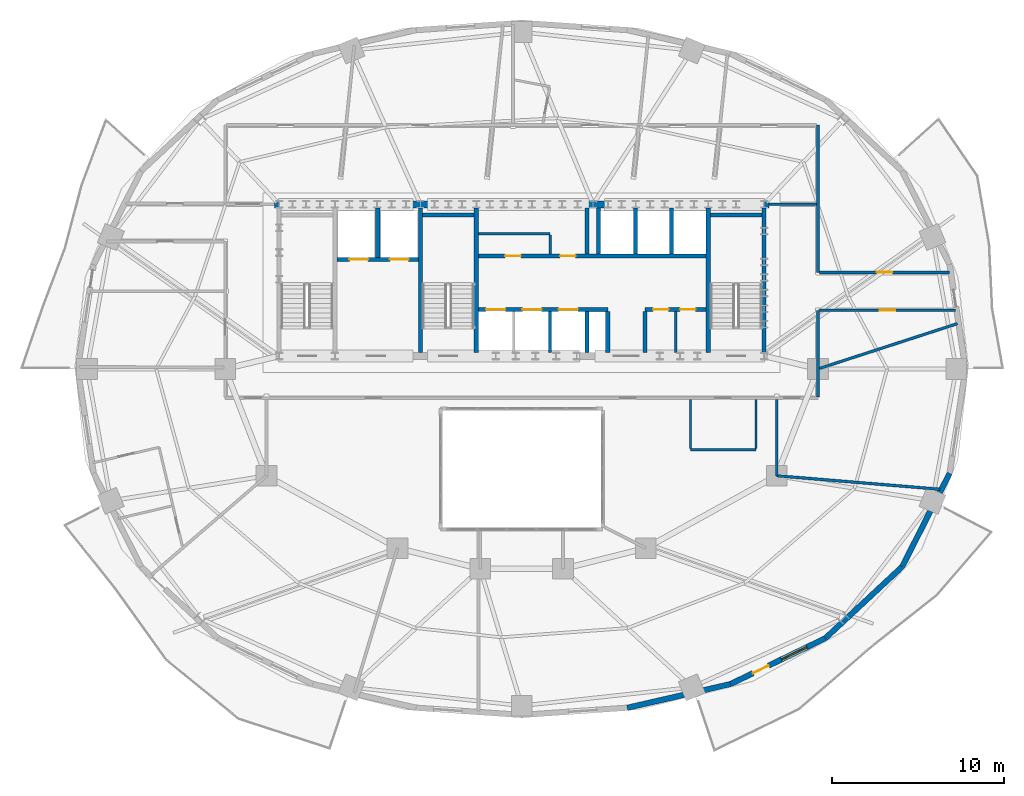
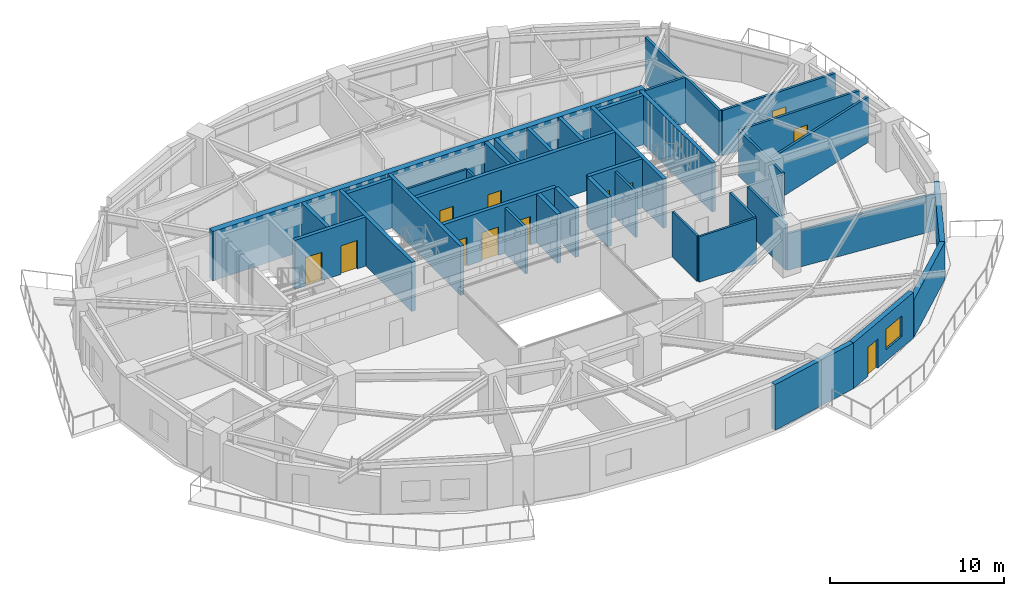
# One storey, part 7 of 13: 38 walls, 12 doors, 1 window, 13 openings.
"""IFC4 building model written with IfcOpenShell, lengths in metres."""

from ifc_helpers import new_model, si_unit, direction, frame, frame_2d, origin, place, context, subcontext, project, spatial, rectangle, extrude, material, layer, layer_set, type_object, element, fill, save


model = new_model("IFC4")

# Units and contexts
model_context = context("Model", 3, precision=1e-05, world=origin(), true_north=direction((0.0, 1.0)))
body_context = subcontext(model_context, "Body", "Model", "MODEL_VIEW")
ifc_project = project(units=[si_unit("LENGTHUNIT", "METRE"), si_unit("AREAUNIT", "SQUARE_METRE"), si_unit("VOLUMEUNIT", "CUBIC_METRE"), si_unit("PLANEANGLEUNIT", "RADIAN"), si_unit("MASSUNIT", "GRAM", prefix="KILO")], contexts=[model_context])

# Site, building, storey
site_placement = place(None, origin())
site = spatial("IfcSite", under=ifc_project, at=site_placement, CompositionType="ELEMENT")
building_placement = place(site_placement, origin())
building = spatial("IfcBuilding", under=site, at=building_placement, Name="Haldorwick Loom Tower", CompositionType="ELEMENT")
storey_placement = place(building_placement, frame((0.0, 0.0, 178.60009765625)))
storey = spatial("IfcBuildingStorey", under=building, at=storey_placement, Name="L48", CompositionType="ELEMENT", Elevation=178.60009765625)

# Wall
ifc_material_1 = material(Name="Pressed Clay Face Brick and Insulated Masonry Backup Assembly", Category="masonry")
ifc_layer_1 = layer(ifc_material_1, 0.320068359375, Name="Pressed Clay Face Brick and Insulated Masonry Backup Assembly", Category="masonry")
ifc_layer_set_1 = layer_set([ifc_layer_1], Name="Pressed Clay Face Brick and Insulated Masonry Backup Assembly")
wall_type_1 = type_object("IfcWallType", Name="ARC-WL-EXT320", PredefinedType="STANDARD", material=ifc_layer_set_1)
wall_1_placement = place(storey_placement, frame((42.12890625, 6.3359375, 0.0), z_axis=(0.0, 0.0, 1.0), x_axis=(0.974593223547, 0.223982250674, 0.0)))
element("IfcWall", 1, at=wall_1_placement, inside=storey, type_object=wall_type_1, Name="L48 Brick Pier and Spandrel Wall 20", PredefinedType="STANDARD", context=body_context, shape_type="SweptSolid", body=[
    extrude(rectangle(XDim=6.138916015625, YDim=0.320068359375, at=frame_2d((3.0693359375, 0.0))), origin(), (0.0, 0.0, 1.0), 3.2099609375),
])

# Wall, openings, door, window
wall_2_placement = place(storey_placement, frame((48.11181640625, 7.7109375, 0.0), z_axis=(0.0, 0.0, 1.0), x_axis=(0.900479976617, 0.434897472644, 0.0)))
wall_2 = element("IfcWall", 2, at=wall_2_placement, inside=storey, type_object=wall_type_1, Name="L48 Brick Pier and Spandrel Wall 21", PredefinedType="STANDARD", context=body_context, shape_type="SweptSolid", body=[
    extrude(rectangle(XDim=6.118408203125, YDim=0.320068359375, at=frame_2d((3.05908203125, 0.0))), origin(), (0.0, 0.0, 1.0), 3.2099609375),
])
opening_1_placement = place(wall_2_placement, frame((1.460693359375, 0.0, 0.0)))
opening_1 = element("IfcOpeningElement", 3, at=opening_1_placement, cuts=wall_2, Name="Opening D-BL10", PredefinedType="OPENING", context=body_context, shape_type="SweptSolid", body=[
    extrude(rectangle(XDim=1.0, YDim=2.0400390625, at=frame_2d((0.5, 1.02001953125))), frame((0.0, 0.169921875, 0.0), z_axis=(0.0, -1.0, 0.0), x_axis=(1.0, 0.0, 0.0)), (0.0, 0.0, 1.0), 0.340087890625),
])
opening_2_placement = place(wall_2_placement, frame((3.28662109375, 0.0, 0.800048828125)))
opening_2 = element("IfcOpeningElement", 4, at=opening_2_placement, cuts=wall_2, Name="Opening W-01B", PredefinedType="OPENING", context=body_context, shape_type="SweptSolid", body=[
    extrude(rectangle(XDim=1.64990234375, YDim=1.449951171875, at=frame_2d((0.824951171875, 0.72509765625))), frame((0.0, 0.169921875, 0.0), z_axis=(0.0, -1.0, 0.0), x_axis=(1.0, 0.0, 0.0)), (0.0, 0.0, 1.0), 0.340087890625),
])
ifc_material_2 = material(Name="Thermally Broken Anodized Aluminium Curtain Wall Framing", Category="aluminium")
door_type_1 = type_object("IfcDoorType", Name="ARC-DR-BAL100", OperationType="NOTDEFINED", PredefinedType="DOOR", material=ifc_material_2)
door_1_placement = place(opening_1_placement, origin())
door_1 = element("IfcDoor", 5, at=door_1_placement, inside=storey, type_object=door_type_1, Name="L48 Outdoor Terrace Door SLB-L48-BAL_SE", OperationType="SINGLE_SWING_RIGHT", OverallHeight=2.0400390625, OverallWidth=1.0, PredefinedType="DOOR", context=body_context, shape_type="SweptSolid", body=[
    extrude(rectangle(XDim=1.0, YDim=2.0400390625, at=frame_2d((0.5, 1.02001953125))), frame((0.0, 0.02490234375, 0.0), z_axis=(0.0, -1.0, 0.0), x_axis=(1.0, 0.0, 0.0)), (0.0, 0.0, 1.0), 0.050048828125),
])
fill(opening_1, door_1)
ifc_material_3 = material(Name="Triple-Glazed Low-E Argon Insulated Glazing Unit", Category="glass")
window_type = type_object("IfcWindowType", Name="ARC-WIN-W165", PartitioningType="SINGLE_PANEL", PredefinedType="WINDOW", material=ifc_material_3)
window_placement = place(opening_2_placement, origin())
window = element("IfcWindow", 6, at=window_placement, inside=storey, type_object=window_type, Name="L48 Deep-Set Zone 7A Window 21", OverallHeight=1.449951171875, OverallWidth=1.64990234375, PartitioningType="SINGLE_PANEL", PredefinedType="WINDOW", context=body_context, shape_type="SweptSolid", body=[
    extrude(rectangle(XDim=1.64990234375, YDim=1.449951171875, at=frame_2d((0.824951171875, 0.72509765625))), frame((0.0, 0.030029296875, 0.0), z_axis=(0.0, -1.0, 0.0), x_axis=(1.0, 0.0, 0.0)), (0.0, 0.0, 1.0), 0.06005859375),
])
fill(opening_2, window)

# Walls
for number, where, z_axis, x_axis, name in (
    (7, (53.621337890625, 10.371826171875, 0.0), (0.0, 0.0, 1.0), (0.731982952968, 0.681322945866, 0.0), "L48 Brick Pier and Spandrel Wall 22"),
    (8, (58.07666015625, 14.518798828125, 0.0), (0.0, 0.0, 1.0), (0.453172129629, 0.89142303141, 0.0), "L48 Brick Pier and Spandrel Wall 23"),
):
    element("IfcWall", number, at=place(storey_placement, frame(where, z_axis=z_axis, x_axis=x_axis)), inside=storey, type_object=wall_type_1, Name=name, PredefinedType="STANDARD", context=body_context, shape_type="SweptSolid", body=[
        extrude(rectangle(XDim=6.086669921875, YDim=0.320068359375, at=frame_2d((3.04345703125, 0.0))), origin(), (0.0, 0.0, 1.0), 2.640869140625),
    ])
ifc_material_4 = material(Name="Fire-Rated Type X Gypsum Stud Assembly EI 60")
ifc_layer_2 = layer(ifc_material_4, 0.159912109375, Name="Fire-Rated Type X Gypsum Stud Assembly EI 60")
ifc_layer_set_2 = layer_set([ifc_layer_2], Name="Fire-Rated Type X Gypsum Stud Assembly EI 60")
wall_type_2 = type_object("IfcWallType", Name="ARC-WL-FIRE160", PredefinedType="PARTITIONING", material=ifc_layer_set_2)
wall_3_placement = place(storey_placement, frame((53.199951171875, 24.383056640625, 0.0), z_axis=(0.0, 0.0, 1.0), x_axis=(0.0, 1.0, 0.0)))
element("IfcWall", 9, at=wall_3_placement, inside=storey, type_object=wall_type_2, Name="L48 Residential Fire Partition L48-CR-E0A", PredefinedType="PARTITIONING", context=body_context, shape_type="SweptSolid", body=[
    extrude(rectangle(XDim=5.016845703125, YDim=0.159912109375, at=frame_2d((2.50830078125, 0.0))), origin(), (0.0, 0.0, 1.0), 3.19482421875),
])
wall_4_placement = place(storey_placement, frame((53.199951171875, 31.60009765625, 0.0), z_axis=(0.0, 0.0, 1.0), x_axis=(0.0, 1.0, 0.0)))
element("IfcWall", 10, at=wall_4_placement, inside=storey, type_object=wall_type_2, Name="L48 Residential Fire Partition L48-CR-E0B", PredefinedType="PARTITIONING", context=body_context, shape_type="SweptSolid", body=[
    extrude(rectangle(XDim=8.5498046875, YDim=0.159912109375, at=frame_2d((4.27490234375, 0.0))), origin(), (0.0, 0.0, 1.0), 3.19482421875),
])

# Wall, opening, door
wall_5_placement = place(storey_placement, frame((53.282958984375, 29.39990234375, 0.0), z_axis=(0.0, 0.0, 1.0), x_axis=(1.0, 0.0, 0.0)))
wall_5 = element("IfcWall", 11, at=wall_5_placement, inside=storey, type_object=wall_type_2, Name="L48 Residential Fire Partition L48-CR-GE0", PredefinedType="PARTITIONING", context=body_context, shape_type="SweptSolid", body=[
    extrude(rectangle(XDim=7.890625, YDim=0.159912109375, at=frame_2d((3.9453125, 0.0))), origin(), (0.0, 0.0, 1.0), 3.19482421875),
])
opening_3_placement = place(wall_5_placement, frame((3.4951171875, 0.0, 0.0)))
opening_3 = element("IfcOpeningElement", 12, at=opening_3_placement, cuts=wall_5, Name="Opening D-FD60A", PredefinedType="OPENING", context=body_context, shape_type="SweptSolid", body=[
    extrude(rectangle(XDim=0.89990234375, YDim=2.0, at=frame_2d((0.449951171875, 1.0))), frame((0.0, 0.08984375, 0.0), z_axis=(0.0, -1.0, 0.0), x_axis=(1.0, 0.0, 0.0)), (0.0, 0.0, 1.0), 0.179931640625),
])
ifc_material_5 = material(Name="Hollow Steel Fire Door Assembly", Category="steel")
door_type_2 = type_object("IfcDoorType", Name="ARC-DR-FD60-90", OperationType="NOTDEFINED", PredefinedType="DOOR", material=ifc_material_5)
door_2_placement = place(opening_3_placement, origin())
door_2 = element("IfcDoor", 13, at=door_2_placement, inside=storey, type_object=door_type_2, Name="L48 L48 Central Residential Corridor to Games Club Hall 3 Door", OperationType="SINGLE_SWING_RIGHT", OverallHeight=2.0, OverallWidth=0.89990234375, PredefinedType="DOOR", context=body_context, shape_type="SweptSolid", body=[
    extrude(rectangle(XDim=0.89990234375, YDim=2.0, at=frame_2d((0.449951171875, 1.0))), frame((0.0, 0.02490234375, 0.0), z_axis=(0.0, -1.0, 0.0), x_axis=(1.0, 0.0, 0.0)), (0.0, 0.0, 1.0), 0.050048828125),
])
fill(opening_3, door_2)

wall_6_placement = place(storey_placement, frame((53.282958984375, 31.60009765625, 0.0), z_axis=(0.0, 0.0, 1.0), x_axis=(1.0, 0.0, 0.0)))
wall_6 = element("IfcWall", 14, at=wall_6_placement, inside=storey, type_object=wall_type_2, Name="L48 Residential Fire Partition L48-CR-GE1", PredefinedType="PARTITIONING", context=body_context, shape_type="SweptSolid", body=[
    extrude(rectangle(XDim=7.555419921875, YDim=0.159912109375, at=frame_2d((3.77783203125, 0.0))), origin(), (0.0, 0.0, 1.0), 3.19482421875),
])
opening_4_placement = place(wall_6_placement, frame((3.327880859375, 0.0, 0.0)))
opening_4 = element("IfcOpeningElement", 15, at=opening_4_placement, cuts=wall_6, Name="Opening D-FD60A", PredefinedType="OPENING", context=body_context, shape_type="SweptSolid", body=[
    extrude(rectangle(XDim=0.89990234375, YDim=2.0, at=frame_2d((0.449951171875, 1.0))), frame((0.0, 0.08984375, 0.0), z_axis=(0.0, -1.0, 0.0), x_axis=(1.0, 0.0, 0.0)), (0.0, 0.0, 1.0), 0.179931640625),
])
door_3_placement = place(opening_4_placement, frame((0.89990234375, 0.0, 0.0), z_axis=(0.0, 0.0, 1.0), x_axis=(-1.0, 0.0, 0.0)))
door_3 = element("IfcDoor", 16, at=door_3_placement, inside=storey, type_object=door_type_2, Name="L48 Community Library Hall 1 to L48 Central Residential Corridor Door", OperationType="SINGLE_SWING_LEFT", OverallHeight=2.0, OverallWidth=0.89990234375, PredefinedType="DOOR", context=body_context, shape_type="SweptSolid", body=[
    extrude(rectangle(XDim=0.89990234375, YDim=2.0, at=frame_2d((0.449951171875, 1.0))), frame((0.0, 0.02490234375, 0.0), z_axis=(0.0, -1.0, 0.0), x_axis=(1.0, 0.0, 0.0)), (0.0, 0.0, 1.0), 0.050048828125),
])
fill(opening_4, door_3)

# Walls
wall_7_placement = place(storey_placement, frame((50.35009765625, 35.550048828125, 0.0), z_axis=(0.0, 0.0, 1.0), x_axis=(1.0, 0.0, 0.0)))
element("IfcWall", 17, at=wall_7_placement, inside=storey, type_object=wall_type_2, Name="L48 Residential Fire Partition L48-CR-ENC", PredefinedType="PARTITIONING", context=body_context, shape_type="SweptSolid", body=[
    extrude(rectangle(XDim=2.766845703125, YDim=0.159912109375, at=frame_2d((1.38330078125, 0.0))), origin(), (0.0, 0.0, 1.0), 3.19482421875),
])
wall_8_placement = place(storey_placement, frame((53.282958984375, 26.027099609375, 0.0), z_axis=(0.0, 0.0, 1.0), x_axis=(0.951062404032, 0.308998873198, 0.0)))
element("IfcWall", 18, at=wall_8_placement, inside=storey, type_object=wall_type_2, Name="L48 Residential Fire Partition L48-ICR-01", PredefinedType="PARTITIONING", context=body_context, shape_type="SweptSolid", body=[
    extrude(rectangle(XDim=8.420166015625, YDim=0.159912109375, at=frame_2d((4.2099609375, 0.0))), origin(), (0.0, 0.0, 1.0), 3.19482421875),
])
wall_9_placement = place(storey_placement, frame((50.800048828125, 19.800048828125, 0.0), z_axis=(0.0, 0.0, 1.0), x_axis=(0.996594391487, -0.082459801457, 0.0)))
element("IfcWall", 19, at=wall_9_placement, inside=storey, type_object=wall_type_2, Name="L48 Residential Fire Partition L48-ICR-03", PredefinedType="PARTITIONING", context=body_context, shape_type="SweptSolid", body=[
    extrude(rectangle(XDim=9.521728515625, YDim=0.159912109375, at=frame_2d((4.7607421875, 0.0))), origin(), (0.0, 0.0, 1.0), 2.56787109375),
])
wall_10_placement = place(storey_placement, frame((50.800048828125, 24.217041015625, 0.0), z_axis=(0.0, 0.0, 1.0), x_axis=(0.0, -1.0, 0.0)))
element("IfcWall", 20, at=wall_10_placement, inside=storey, type_object=wall_type_2, Name="L48 Residential Fire Partition L48-ICA-02", PredefinedType="PARTITIONING", context=body_context, shape_type="SweptSolid", body=[
    extrude(rectangle(XDim=4.4169921875, YDim=0.159912109375, at=frame_2d((2.20849609375, 0.0))), origin(), (0.0, 0.0, 1.0), 3.19482421875),
])
ifc_layer_3 = layer(ifc_material_4, 0.139892578125, Name="Fire-Rated Type X Gypsum Stud Assembly EI 60")
ifc_layer_set_3 = layer_set([ifc_layer_3], Name="Fire-Rated Type X Gypsum Stud Assembly EI 60")
wall_type_3 = type_object("IfcWallType", Name="ARC-WL-PART140", PredefinedType="PARTITIONING", material=ifc_layer_set_3)
wall_11_placement = place(storey_placement, frame((33.492919921875, 33.85009765625, 0.0), z_axis=(0.0, 0.0, 1.0), x_axis=(1.0, 0.0, 0.0)))
element("IfcWall", 21, at=wall_11_placement, inside=storey, type_object=wall_type_3, Name="L48 Storage South Partition", PredefinedType="PARTITIONING", context=body_context, shape_type="SweptSolid", body=[
    extrude(rectangle(XDim=4.156982421875, YDim=0.139892578125, at=frame_2d((2.07861328125, 0.0))), origin(), (0.0, 0.0, 1.0), 3.19482421875),
])
wall_12_placement = place(storey_placement, frame((37.64990234375, 32.673095703125, 0.0), z_axis=(0.0, 0.0, 1.0), x_axis=(0.0, 1.0, 0.0)))
element("IfcWall", 22, at=wall_12_placement, inside=storey, type_object=wall_type_3, Name="L48 Storage East Partition", PredefinedType="PARTITIONING", context=body_context, shape_type="SweptSolid", body=[
    extrude(rectangle(XDim=1.10400390625, YDim=0.139892578125, at=frame_2d((0.552001953125, 0.0))), origin(), (0.0, 0.0, 1.0), 3.19482421875),
])
wall_13_placement = place(storey_placement, frame((44.949951171875, 26.952880859375, 0.0), z_axis=(0.0, 0.0, 1.0), x_axis=(0.0, 1.0, 0.0)))
element("IfcWall", 23, at=wall_13_placement, inside=storey, type_object=wall_type_3, Name="L48 Service Partition", PredefinedType="PARTITIONING", context=body_context, shape_type="SweptSolid", body=[
    extrude(rectangle(XDim=2.3740234375, YDim=0.139892578125, at=frame_2d((1.18701171875, 0.0))), origin(), (0.0, 0.0, 1.0), 3.19482421875),
])
wall_14_placement = place(storey_placement, frame((45.800048828125, 21.300048828125, 0.0), z_axis=(0.0, 0.0, 1.0), x_axis=(1.0, 0.0, 0.0)))
element("IfcWall", 24, at=wall_14_placement, inside=storey, type_object=wall_type_3, Name="L48 Residential Fire Partition L48-CWC-S", PredefinedType="PARTITIONING", context=body_context, shape_type="SweptSolid", body=[
    extrude(rectangle(XDim=3.800048828125, YDim=0.139892578125, at=frame_2d((1.89990234375, 0.0))), origin(), (0.0, 0.0, 1.0), 3.19482421875),
])
for number, where, z_axis, x_axis, name in (
    (25, (45.800048828125, 21.373046875, 0.0), (0.0, 0.0, 1.0), (0.0, 1.0, 0.0), "L48 Residential Fire Partition L48-CWC-W"),
    (26, (49.60009765625, 21.373046875, 0.0), (0.0, 0.0, 1.0), (0.0, 1.0, 0.0), "L48 Residential Fire Partition L48-CWC-E"),
):
    element("IfcWall", number, at=place(storey_placement, frame(where, z_axis=z_axis, x_axis=x_axis)), inside=storey, type_object=wall_type_3, Name=name, PredefinedType="PARTITIONING", context=body_context, shape_type="SweptSolid", body=[
        extrude(rectangle(XDim=2.843994140625, YDim=0.139892578125, at=frame_2d((1.421875, 0.0))), origin(), (0.0, 0.0, 1.0), 3.19482421875),
    ])
ifc_material_6 = material(Name="Fire-Rated Type X Gypsum Stud Assembly EI 120")
ifc_layer_4 = layer(ifc_material_6, 0.1650390625, Name="Fire-Rated Type X Gypsum Stud Assembly EI 120")
ifc_layer_set_4 = layer_set([ifc_layer_4], Name="Fire-Rated Type X Gypsum Stud Assembly EI 120")
wall_type_4 = type_object("IfcWallType", Name="ARC-WL-SHAFT160", PredefinedType="MOVABLE", material=ifc_layer_set_4)
wall_15_placement = place(storey_placement, frame((37.64990234375, 26.952880859375, 0.0), z_axis=(0.0, 0.0, 1.0), x_axis=(0.0, 1.0, 0.0)))
element("IfcWall", 27, at=wall_15_placement, inside=storey, type_object=wall_type_4, Name="L48 Mid-Rise Hoistway Divider 2", PredefinedType="MOVABLE", context=body_context, shape_type="SweptSolid", body=[
    extrude(rectangle(XDim=2.3740234375, YDim=0.159912109375, at=frame_2d((1.18701171875, 0.0))), origin(), (0.0, 0.0, 1.0), 3.19482421875),
])
ifc_material_7 = material(Name="Concrete C50 (50 MPa)", Category="concrete")
ifc_layer_5 = layer(ifc_material_7, 0.39990234375, Name="Concrete C50 (50 MPa)", Category="concrete")
ifc_layer_set_5 = layer_set([ifc_layer_5], Name="Concrete C50 (50 MPa)")
wall_type_5 = type_object("IfcWallType", Name="STR-WL-CORE400", PredefinedType="SHEAR", material=ifc_layer_set_5)
wall_16_placement = place(storey_placement, frame((50.35009765625, 35.550048828125, 0.0), z_axis=(0.0, 0.0, 1.0), x_axis=(-1.0, 0.0, 0.0)))
element("IfcWall", 28, at=wall_16_placement, inside=storey, type_object=wall_type_5, Name="L48 Core Shear Wall N", PredefinedType="SHEAR", context=body_context, shape_type="SweptSolid", body=[
    extrude(rectangle(XDim=28.7001953125, YDim=0.39990234375, at=frame_2d((14.35009765625, 0.0))), origin(), (0.0, 0.0, 1.0), 3.449951171875),
])
ifc_layer_6 = layer(ifc_material_7, 0.239990234375, Name="Concrete C50 (50 MPa)", Category="concrete")
ifc_layer_set_6 = layer_set([ifc_layer_6], Name="Concrete C50 (50 MPa)")
wall_type_6 = type_object("IfcWallType", Name="STR-WL-SHAFT240", PredefinedType="SHEAR", material=ifc_layer_set_6)
for number, where, z_axis, x_axis, name in (
    (29, (50.070068359375, 26.952880859375, 0.0), (0.0, 0.0, 1.0), (0.0, 1.0, 0.0), "L48 Core Shear Wall E"),
    (30, (30.1298828125, 26.952880859375, 0.0), (0.0, 0.0, 1.0), (0.0, 1.0, 0.0), "L48 Core Shear Wall 2"),
    (31, (33.3701171875, 26.952880859375, 0.0), (0.0, 0.0, 1.0), (0.0, 1.0, 0.0), "L48 Core Shear Wall 3"),
):
    element("IfcWall", number, at=place(storey_placement, frame(where, z_axis=z_axis, x_axis=x_axis)), inside=storey, type_object=wall_type_6, Name=name, PredefinedType="SHEAR", context=body_context, shape_type="SweptSolid", body=[
        extrude(rectangle(XDim=8.39404296875, YDim=0.239990234375, at=frame_2d((4.197021484375, 0.0))), origin(), (0.0, 0.0, 1.0), 3.449951171875),
    ])
wall_17_placement = place(storey_placement, frame((30.2529296875, 34.919921875, 0.0), z_axis=(0.0, 0.0, 1.0), x_axis=(1.0, 0.0, 0.0)))
element("IfcWall", 32, at=wall_17_placement, inside=storey, type_object=wall_type_6, Name="L48 Core Shear Wall 3N", PredefinedType="SHEAR", context=body_context, shape_type="SweptSolid", body=[
    extrude(rectangle(XDim=2.994140625, YDim=0.239990234375, at=frame_2d((1.4970703125, 0.0))), origin(), (0.0, 0.0, 1.0), 3.449951171875),
])
wall_18_placement = place(storey_placement, frame((46.830078125, 26.952880859375, 0.0), z_axis=(0.0, 0.0, 1.0), x_axis=(0.0, 1.0, 0.0)))
element("IfcWall", 33, at=wall_18_placement, inside=storey, type_object=wall_type_6, Name="L48 Core Shear Wall 4", PredefinedType="SHEAR", context=body_context, shape_type="SweptSolid", body=[
    extrude(rectangle(XDim=8.39404296875, YDim=0.239990234375, at=frame_2d((4.197021484375, 0.0))), origin(), (0.0, 0.0, 1.0), 3.449951171875),
])
wall_19_placement = place(storey_placement, frame((46.952880859375, 34.919921875, 0.0), z_axis=(0.0, 0.0, 1.0), x_axis=(1.0, 0.0, 0.0)))
element("IfcWall", 34, at=wall_19_placement, inside=storey, type_object=wall_type_6, Name="L48 Core Shear Wall 4N", PredefinedType="SHEAR", context=body_context, shape_type="SweptSolid", body=[
    extrude(rectangle(XDim=2.994140625, YDim=0.239990234375, at=frame_2d((1.4970703125, 0.0))), origin(), (0.0, 0.0, 1.0), 3.449951171875),
])

# Wall, openings, doors
wall_20_placement = place(storey_placement, frame((25.29296875, 32.35009765625, 0.0), z_axis=(0.0, 0.0, 1.0), x_axis=(1.0, 0.0, 0.0)))
wall_20 = element("IfcWall", 35, at=wall_20_placement, inside=storey, type_object=wall_type_6, Name="L48 Core Shear Wall FF", PredefinedType="SHEAR", context=body_context, shape_type="SweptSolid", body=[
    extrude(rectangle(XDim=4.714111328125, YDim=0.239990234375, at=frame_2d((2.35693359375, 0.0))), origin(), (0.0, 0.0, 1.0), 3.449951171875),
])
opening_5_placement = place(wall_20_placement, frame((0.70703125, 0.0, 0.0)))
opening_5 = element("IfcOpeningElement", 36, at=opening_5_placement, cuts=wall_20, Name="Opening LD-FF1", PredefinedType="OPENING", context=body_context, shape_type="SweptSolid", body=[
    extrude(rectangle(XDim=1.10009765625, YDim=2.0, at=frame_2d((0.550048828125, 1.0))), frame((0.0, 0.1298828125, 0.0), z_axis=(0.0, -1.0, 0.0), x_axis=(1.0, 0.0, 0.0)), (0.0, 0.0, 1.0), 0.260009765625),
])
opening_6_placement = place(wall_20_placement, frame((3.056884765625, 0.0, 0.0)))
opening_6 = element("IfcOpeningElement", 37, at=opening_6_placement, cuts=wall_20, Name="Opening LD-FF2", PredefinedType="OPENING", context=body_context, shape_type="SweptSolid", body=[
    extrude(rectangle(XDim=1.10009765625, YDim=2.0, at=frame_2d((0.550048828125, 1.0))), frame((0.0, 0.1298828125, 0.0), z_axis=(0.0, -1.0, 0.0), x_axis=(1.0, 0.0, 0.0)), (0.0, 0.0, 1.0), 0.260009765625),
])
door_type_3 = type_object("IfcDoorType", Name="ARC-DR-LD-FF", OperationType="NOTDEFINED", PredefinedType="USERDEFINED", material=ifc_material_5)
door_4_placement = place(opening_5_placement, origin())
door_4 = element("IfcDoor", 38, at=door_4_placement, inside=storey, type_object=door_type_3, Name="L48 Lift LF-FF1 Sliding Landing Door", ObjectType="LANDING DOOR", OperationType="DOUBLE_DOOR_SLIDING", OverallHeight=2.0, OverallWidth=1.10009765625, PredefinedType="USERDEFINED", context=body_context, shape_type="SweptSolid", body=[
    extrude(rectangle(XDim=1.10009765625, YDim=2.0, at=frame_2d((0.550048828125, 1.0))), frame((0.0, 0.02490234375, 0.0), z_axis=(0.0, -1.0, 0.0), x_axis=(1.0, 0.0, 0.0)), (0.0, 0.0, 1.0), 0.050048828125),
])
fill(opening_5, door_4)
door_5_placement = place(opening_6_placement, origin())
door_5 = element("IfcDoor", 39, at=door_5_placement, inside=storey, type_object=door_type_3, Name="L48 Lift LF-FF2 Sliding Landing Door", ObjectType="LANDING DOOR", OperationType="DOUBLE_DOOR_SLIDING", OverallHeight=2.0, OverallWidth=1.10009765625, PredefinedType="USERDEFINED", context=body_context, shape_type="SweptSolid", body=[
    extrude(rectangle(XDim=1.10009765625, YDim=2.0, at=frame_2d((0.550048828125, 1.0))), frame((0.0, 0.02490234375, 0.0), z_axis=(0.0, -1.0, 0.0), x_axis=(1.0, 0.0, 0.0)), (0.0, 0.0, 1.0), 0.050048828125),
])
fill(opening_6, door_5)

# Wall
wall_21_placement = place(storey_placement, frame((27.64990234375, 32.472900390625, 0.0), z_axis=(0.0, 0.0, 1.0), x_axis=(0.0, 1.0, 0.0)))
element("IfcWall", 40, at=wall_21_placement, inside=storey, type_object=wall_type_6, Name="L48 Core Shear Wall FFD", PredefinedType="SHEAR", context=body_context, shape_type="SweptSolid", body=[
    extrude(rectangle(XDim=2.8740234375, YDim=0.239990234375, at=frame_2d((1.43701171875, 0.0))), origin(), (0.0, 0.0, 1.0), 3.449951171875),
])

# Wall, openings, doors
wall_22_placement = place(storey_placement, frame((33.492919921875, 32.550048828125, 0.0), z_axis=(0.0, 0.0, 1.0), x_axis=(1.0, 0.0, 0.0)))
wall_22 = element("IfcWall", 41, at=wall_22_placement, inside=storey, type_object=wall_type_6, Name="L48 Core Shear Wall LN", PredefinedType="SHEAR", context=body_context, shape_type="SweptSolid", body=[
    extrude(rectangle(XDim=13.214111328125, YDim=0.239990234375, at=frame_2d((6.60693359375, 0.0))), origin(), (0.0, 0.0, 1.0), 3.449951171875),
])
opening_7_placement = place(wall_22_placement, frame((1.556884765625, 0.0, 0.0)))
opening_7 = element("IfcOpeningElement", 42, at=opening_7_placement, cuts=wall_22, Name="Opening D-FD60A", PredefinedType="OPENING", context=body_context, shape_type="SweptSolid", body=[
    extrude(rectangle(XDim=0.89990234375, YDim=2.0, at=frame_2d((0.449951171875, 1.0))), frame((0.0, 0.1298828125, 0.0), z_axis=(0.0, -1.0, 0.0), x_axis=(1.0, 0.0, 0.0)), (0.0, 0.0, 1.0), 0.260009765625),
])
opening_8_placement = place(wall_22_placement, frame((4.737060546875, 0.0, 0.0)))
opening_8 = element("IfcOpeningElement", 43, at=opening_8_placement, cuts=wall_22, Name="Opening D-FD60A", PredefinedType="OPENING", context=body_context, shape_type="SweptSolid", body=[
    extrude(rectangle(XDim=0.89990234375, YDim=2.0, at=frame_2d((0.449951171875, 1.0))), frame((0.0, 0.1298828125, 0.0), z_axis=(0.0, -1.0, 0.0), x_axis=(1.0, 0.0, 0.0)), (0.0, 0.0, 1.0), 0.260009765625),
])
door_6_placement = place(opening_7_placement, frame((0.89990234375, 0.0, 0.0), z_axis=(0.0, 0.0, 1.0), x_axis=(-1.0, 0.0, 0.0)))
door_6 = element("IfcDoor", 44, at=door_6_placement, inside=storey, type_object=door_type_2, Name="L48 Resident Storage Door", OperationType="SINGLE_SWING_LEFT", OverallHeight=2.0, OverallWidth=0.89990234375, PredefinedType="DOOR", context=body_context, shape_type="SweptSolid", body=[
    extrude(rectangle(XDim=0.89990234375, YDim=2.0, at=frame_2d((0.449951171875, 1.0))), frame((0.0, 0.02490234375, 0.0), z_axis=(0.0, -1.0, 0.0), x_axis=(1.0, 0.0, 0.0)), (0.0, 0.0, 1.0), 0.050048828125),
])
fill(opening_7, door_6)
door_7_placement = place(opening_8_placement, frame((0.89990234375, 0.0, 0.0), z_axis=(0.0, 0.0, 1.0), x_axis=(-1.0, 0.0, 0.0)))
door_7 = element("IfcDoor", 45, at=door_7_placement, inside=storey, type_object=door_type_2, Name="L48 Laundry Door", OperationType="SINGLE_SWING_RIGHT", OverallHeight=2.0, OverallWidth=0.89990234375, PredefinedType="DOOR", context=body_context, shape_type="SweptSolid", body=[
    extrude(rectangle(XDim=0.89990234375, YDim=2.0, at=frame_2d((0.449951171875, 1.0))), frame((0.0, 0.02490234375, 0.0), z_axis=(0.0, -1.0, 0.0), x_axis=(1.0, 0.0, 0.0)), (0.0, 0.0, 1.0), 0.050048828125),
])
fill(opening_8, door_7)

wall_23_placement = place(storey_placement, frame((33.492919921875, 29.449951171875, 0.0), z_axis=(0.0, 0.0, 1.0), x_axis=(1.0, 0.0, 0.0)))
wall_23 = element("IfcWall", 46, at=wall_23_placement, inside=storey, type_object=wall_type_6, Name="L48 Core Shear Wall LS1", PredefinedType="SHEAR", context=body_context, shape_type="SweptSolid", body=[
    extrude(rectangle(XDim=7.507080078125, YDim=0.239990234375, at=frame_2d((3.75341796875, 0.0))), origin(), (0.0, 0.0, 1.0), 3.449951171875),
])
opening_9_placement = place(wall_23_placement, frame((0.447021484375, 0.0, 0.0)))
opening_9 = element("IfcOpeningElement", 47, at=opening_9_placement, cuts=wall_23, Name="Opening LD-M1", PredefinedType="OPENING", context=body_context, shape_type="SweptSolid", body=[
    extrude(rectangle(XDim=1.1201171875, YDim=2.0, at=frame_2d((0.56005859375, 1.0))), frame((0.0, 0.1298828125, 0.0), z_axis=(0.0, -1.0, 0.0), x_axis=(1.0, 0.0, 0.0)), (0.0, 0.0, 1.0), 0.260009765625),
])
opening_10_placement = place(wall_23_placement, frame((2.547119140625, 0.0, 0.0)))
opening_10 = element("IfcOpeningElement", 48, at=opening_10_placement, cuts=wall_23, Name="Opening LD-M2", PredefinedType="OPENING", context=body_context, shape_type="SweptSolid", body=[
    extrude(rectangle(XDim=1.1201171875, YDim=2.0, at=frame_2d((0.56005859375, 1.0))), frame((0.0, 0.1298828125, 0.0), z_axis=(0.0, -1.0, 0.0), x_axis=(1.0, 0.0, 0.0)), (0.0, 0.0, 1.0), 0.260009765625),
])
opening_11_placement = place(wall_23_placement, frame((4.64697265625, 0.0, 0.0)))
opening_11 = element("IfcOpeningElement", 49, at=opening_11_placement, cuts=wall_23, Name="Opening LD-M3", PredefinedType="OPENING", context=body_context, shape_type="SweptSolid", body=[
    extrude(rectangle(XDim=1.1201171875, YDim=2.0, at=frame_2d((0.56005859375, 1.0))), frame((0.0, 0.1298828125, 0.0), z_axis=(0.0, -1.0, 0.0), x_axis=(1.0, 0.0, 0.0)), (0.0, 0.0, 1.0), 0.260009765625),
])
door_type_4 = type_object("IfcDoorType", Name="ARC-DR-LD-PAX", OperationType="NOTDEFINED", PredefinedType="USERDEFINED", material=ifc_material_5)
door_8_placement = place(opening_9_placement, origin())
door_8 = element("IfcDoor", 50, at=door_8_placement, inside=storey, type_object=door_type_4, Name="L48 Lift LF-M1 Sliding Landing Door", ObjectType="LANDING DOOR", OperationType="DOUBLE_DOOR_SLIDING", OverallHeight=2.0, OverallWidth=1.1201171875, PredefinedType="USERDEFINED", context=body_context, shape_type="SweptSolid", body=[
    extrude(rectangle(XDim=1.1201171875, YDim=2.0, at=frame_2d((0.56005859375, 1.0))), frame((0.0, 0.02490234375, 0.0), z_axis=(0.0, -1.0, 0.0), x_axis=(1.0, 0.0, 0.0)), (0.0, 0.0, 1.0), 0.050048828125),
])
fill(opening_9, door_8)
door_9_placement = place(opening_10_placement, origin())
door_9 = element("IfcDoor", 51, at=door_9_placement, inside=storey, type_object=door_type_4, Name="L48 Lift LF-M2 Sliding Landing Door", ObjectType="LANDING DOOR", OperationType="DOUBLE_DOOR_SLIDING", OverallHeight=2.0, OverallWidth=1.1201171875, PredefinedType="USERDEFINED", context=body_context, shape_type="SweptSolid", body=[
    extrude(rectangle(XDim=1.1201171875, YDim=2.0, at=frame_2d((0.56005859375, 1.0))), frame((0.0, 0.02490234375, 0.0), z_axis=(0.0, -1.0, 0.0), x_axis=(1.0, 0.0, 0.0)), (0.0, 0.0, 1.0), 0.050048828125),
])
fill(opening_10, door_9)
door_10_placement = place(opening_11_placement, origin())
door_10 = element("IfcDoor", 52, at=door_10_placement, inside=storey, type_object=door_type_4, Name="L48 Lift LF-M3 Sliding Landing Door", ObjectType="LANDING DOOR", OperationType="DOUBLE_DOOR_SLIDING", OverallHeight=2.0, OverallWidth=1.1201171875, PredefinedType="USERDEFINED", context=body_context, shape_type="SweptSolid", body=[
    extrude(rectangle(XDim=1.1201171875, YDim=2.0, at=frame_2d((0.56005859375, 1.0))), frame((0.0, 0.02490234375, 0.0), z_axis=(0.0, -1.0, 0.0), x_axis=(1.0, 0.0, 0.0)), (0.0, 0.0, 1.0), 0.050048828125),
])
fill(opening_11, door_10)

wall_24_placement = place(storey_placement, frame((43.14990234375, 29.449951171875, 0.0), z_axis=(0.0, 0.0, 1.0), x_axis=(1.0, 0.0, 0.0)))
wall_24 = element("IfcWall", 53, at=wall_24_placement, inside=storey, type_object=wall_type_6, Name="L48 Core Shear Wall LS2", PredefinedType="SHEAR", context=body_context, shape_type="SweptSolid", body=[
    extrude(rectangle(XDim=3.55712890625, YDim=0.239990234375, at=frame_2d((1.778564453125, 0.0))), origin(), (0.0, 0.0, 1.0), 3.449951171875),
])
opening_12_placement = place(wall_24_placement, frame((0.47998046875, 0.0, 0.0)))
opening_12 = element("IfcOpeningElement", 54, at=opening_12_placement, cuts=wall_24, Name="Opening D-FD60A", PredefinedType="OPENING", context=body_context, shape_type="SweptSolid", body=[
    extrude(rectangle(XDim=0.89990234375, YDim=2.0, at=frame_2d((0.449951171875, 1.0))), frame((0.0, 0.1298828125, 0.0), z_axis=(0.0, -1.0, 0.0), x_axis=(1.0, 0.0, 0.0)), (0.0, 0.0, 1.0), 0.260009765625),
])
opening_13_placement = place(wall_24_placement, frame((2.050048828125, 0.0, 0.0)))
opening_13 = element("IfcOpeningElement", 55, at=opening_13_placement, cuts=wall_24, Name="Opening D-FD60A", PredefinedType="OPENING", context=body_context, shape_type="SweptSolid", body=[
    extrude(rectangle(XDim=0.89990234375, YDim=2.0, at=frame_2d((0.449951171875, 1.0))), frame((0.0, 0.1298828125, 0.0), z_axis=(0.0, -1.0, 0.0), x_axis=(1.0, 0.0, 0.0)), (0.0, 0.0, 1.0), 0.260009765625),
])
door_11_placement = place(opening_12_placement, origin())
door_11 = element("IfcDoor", 56, at=door_11_placement, inside=storey, type_object=door_type_2, Name="L48 Electrical Room Door", OperationType="SINGLE_SWING_LEFT", OverallHeight=2.0, OverallWidth=0.89990234375, PredefinedType="DOOR", context=body_context, shape_type="SweptSolid", body=[
    extrude(rectangle(XDim=0.89990234375, YDim=2.0, at=frame_2d((0.449951171875, 1.0))), frame((0.0, 0.02490234375, 0.0), z_axis=(0.0, -1.0, 0.0), x_axis=(1.0, 0.0, 0.0)), (0.0, 0.0, 1.0), 0.050048828125),
])
fill(opening_12, door_11)
door_12_placement = place(opening_13_placement, origin())
door_12 = element("IfcDoor", 57, at=door_12_placement, inside=storey, type_object=door_type_2, Name="L48 Cleaner's Store Door", OperationType="SINGLE_SWING_LEFT", OverallHeight=2.0, OverallWidth=0.89990234375, PredefinedType="DOOR", context=body_context, shape_type="SweptSolid", body=[
    extrude(rectangle(XDim=0.89990234375, YDim=2.0, at=frame_2d((0.449951171875, 1.0))), frame((0.0, 0.02490234375, 0.0), z_axis=(0.0, -1.0, 0.0), x_axis=(1.0, 0.0, 0.0)), (0.0, 0.0, 1.0), 0.050048828125),
])
fill(opening_13, door_12)

# Walls
for number, where, z_axis, x_axis, name in (
    (58, (41.0, 26.952880859375, 0.0), (0.0, 0.0, 1.0), (0.0, 1.0, 0.0), "L48 Core Shear Wall THW"),
    (59, (43.14990234375, 26.952880859375, 0.0), (0.0, 0.0, 1.0), (0.0, 1.0, 0.0), "L48 Core Shear Wall THE"),
):
    element("IfcWall", number, at=place(storey_placement, frame(where, z_axis=z_axis, x_axis=x_axis)), inside=storey, type_object=wall_type_6, Name=name, PredefinedType="SHEAR", context=body_context, shape_type="SweptSolid", body=[
        extrude(rectangle(XDim=2.3740234375, YDim=0.239990234375, at=frame_2d((1.18701171875, 0.0))), origin(), (0.0, 0.0, 1.0), 3.449951171875),
    ])
for number, where, z_axis, x_axis, name in (
    (60, (39.800048828125, 32.673095703125, 0.0), (0.0, 0.0, 1.0), (0.0, 1.0, 0.0), "L48 Core Shear Wall LHW"),
    (61, (40.449951171875, 32.673095703125, 0.0), (0.0, 0.0, 1.0), (0.0, 1.0, 0.0), "L48 Core Shear Wall H0"),
    (62, (42.60009765625, 32.673095703125, 0.0), (0.0, 0.0, 1.0), (0.0, 1.0, 0.0), "L48 Core Shear Wall H1"),
    (63, (44.699951171875, 32.673095703125, 0.0), (0.0, 0.0, 1.0), (0.0, 1.0, 0.0), "L48 Core Shear Wall H2"),
):
    element("IfcWall", number, at=place(storey_placement, frame(where, z_axis=z_axis, x_axis=x_axis)), inside=storey, type_object=wall_type_6, Name=name, PredefinedType="SHEAR", context=body_context, shape_type="SweptSolid", body=[
        extrude(rectangle(XDim=2.673828125, YDim=0.239990234375, at=frame_2d((1.3369140625, 0.0))), origin(), (0.0, 0.0, 1.0), 3.449951171875),
    ])
wall_25_placement = place(storey_placement, frame((39.800048828125, 26.952880859375, 0.0), z_axis=(0.0, 0.0, 1.0), x_axis=(0.0, 1.0, 0.0)))
element("IfcWall", 64, at=wall_25_placement, inside=storey, type_object=wall_type_6, Name="L48 Core Shear Wall MRW", PredefinedType="SHEAR", context=body_context, shape_type="SweptSolid", body=[
    extrude(rectangle(XDim=2.3740234375, YDim=0.239990234375, at=frame_2d((1.18701171875, 0.0))), origin(), (0.0, 0.0, 1.0), 3.449951171875),
])

save(model, "model.ifc")
